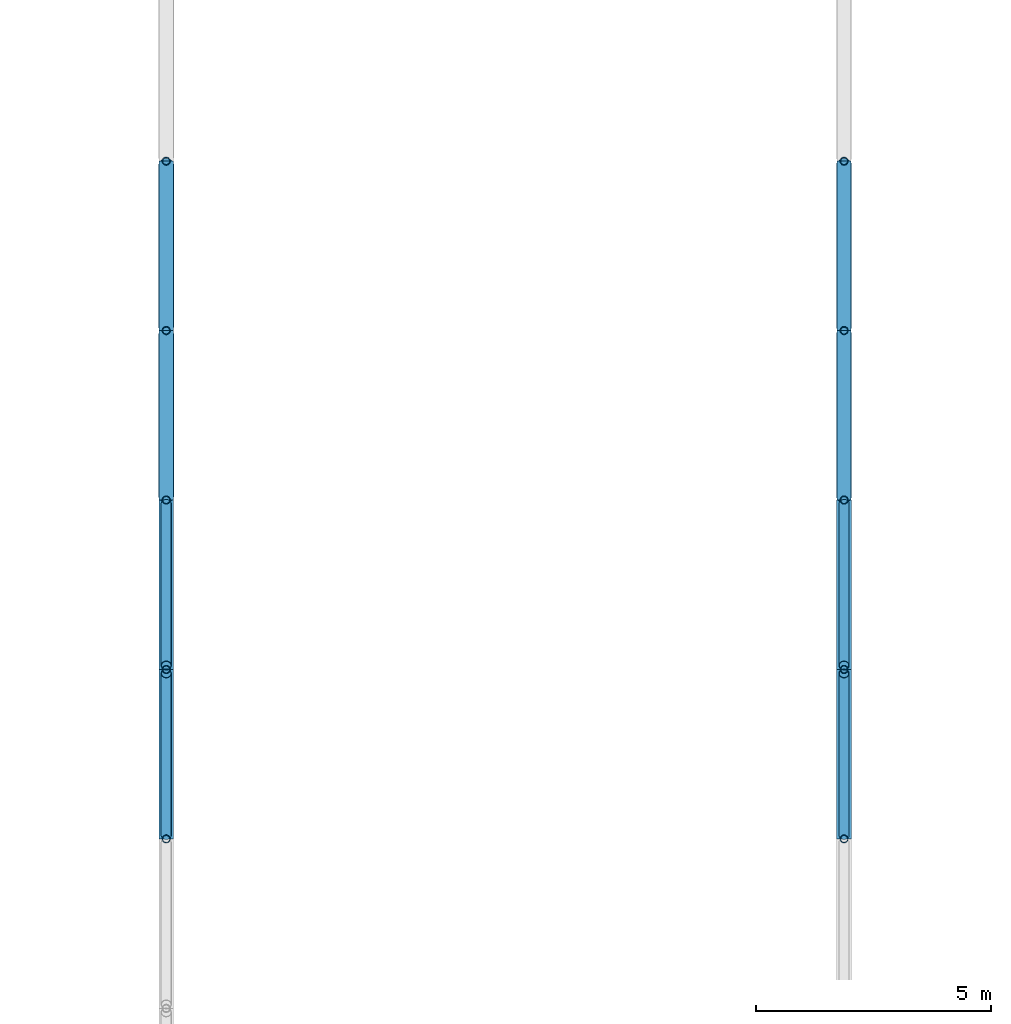
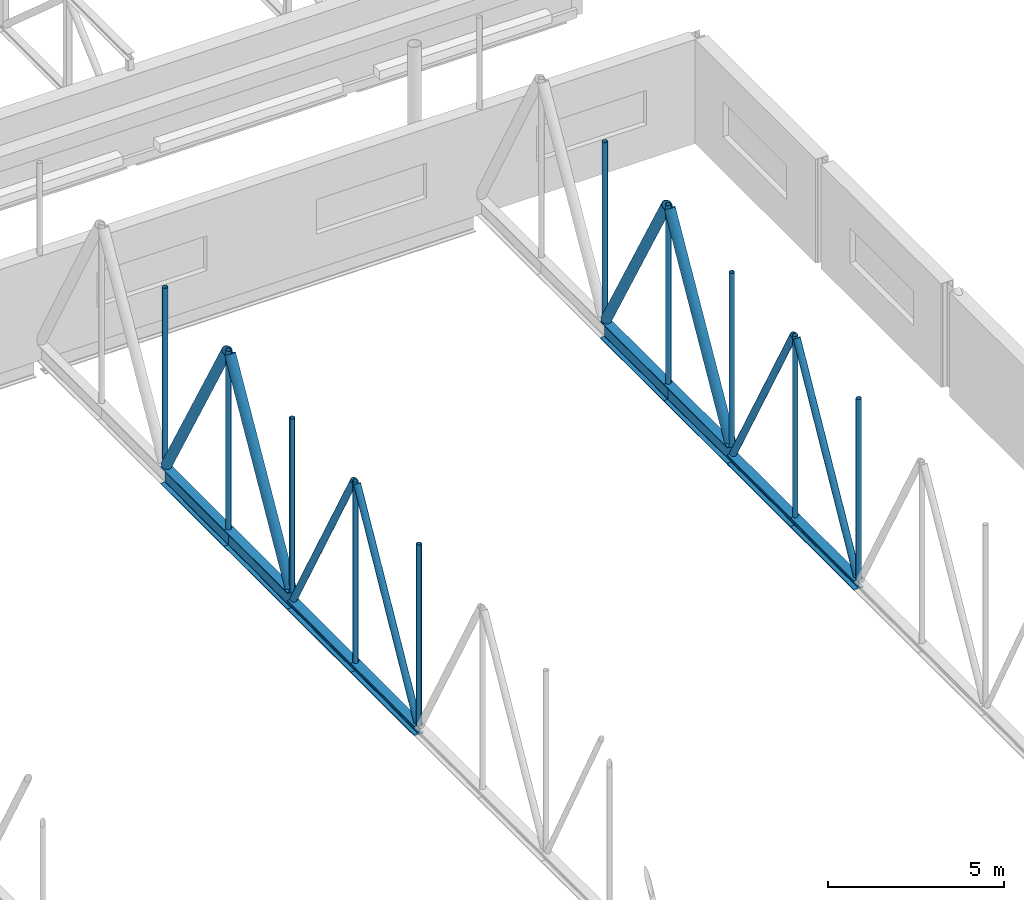
# One storey, part 70 of 142: 26 members.
"""IFC4 building model written with IfcOpenShell, lengths in metres."""

from ifc_helpers import new_model, si_unit, direction, frame, origin, origin_2d, place, context, subcontext, project, spatial, hollow_circle, i_section, extrude, material, material_profile, profile_set, type_object, element, save


model = new_model("IFC4")

# Units and contexts
model_context = context("Model", 3, precision=1e-05, world=origin(), true_north=direction((0.0, 1.0)))
body_context = subcontext(model_context, "Body", "Model", "MODEL_VIEW")
ifc_project = project(units=[si_unit("LENGTHUNIT", "METRE"), si_unit("AREAUNIT", "SQUARE_METRE"), si_unit("VOLUMEUNIT", "CUBIC_METRE"), si_unit("PLANEANGLEUNIT", "RADIAN"), si_unit("MASSUNIT", "GRAM", prefix="KILO")], contexts=[model_context])

# Site, building, storey
site_placement = place(None, origin())
site = spatial("IfcSite", under=ifc_project, at=site_placement, CompositionType="ELEMENT")
building_placement = place(site_placement, origin())
building = spatial("IfcBuilding", under=site, at=building_placement, Name="Kupolbacken Congress Centre", CompositionType="ELEMENT")
storey_placement = place(building_placement, frame((0.0, 0.0, 14.39990234375)))
storey = spatial("IfcBuildingStorey", under=building, at=storey_placement, Name="L04", CompositionType="ELEMENT", Elevation=14.39990234375)

# Members
ifc_material_1 = material(Name="Steel S355", Category="steel")
ifc_material_profile_1 = material_profile(ifc_material_1, i_section(OverallWidth=0.31005859375, OverallDepth=0.340087890625, WebThickness=0.02099609375, FlangeThickness=0.0390625, FilletRadius=0.027099609375, at=origin_2d()), Name="HEM 300")
ifc_profile_set_1 = profile_set([ifc_material_profile_1], Name="Steel S355")
member_type_1 = type_object("IfcMemberType", Name="M01 transfer truss chord HEM 300", PredefinedType="CHORD", material=ifc_profile_set_1)
member_1_placement = place(storey_placement, frame((180.0, 93.60009765625, 0.16015625), z_axis=(0.0, 1.0, 0.0), x_axis=(-1.0, 0.0, 0.0)))
element("IfcMember", 1, at=member_1_placement, inside=storey, type_object=member_type_1, Name="HT/T7/BC15", PredefinedType="CHORD", context=body_context, shape_type="SweptSolid", body=[
    extrude(i_section(OverallWidth=0.31005859375, OverallDepth=0.340087890625, WebThickness=0.02099609375, FlangeThickness=0.0390625, FilletRadius=0.027099609375, at=origin_2d()), origin(), (0.0, 0.0, 1.0), 3.599853515625),
])
member_2_placement = place(storey_placement, frame((180.0, 97.199951171875, 0.16015625), z_axis=(0.0, 1.0, 0.0), x_axis=(-1.0, 0.0, 0.0)))
element("IfcMember", 2, at=member_2_placement, inside=storey, type_object=member_type_1, Name="HT/T7/BC16", PredefinedType="CHORD", context=body_context, shape_type="SweptSolid", body=[
    extrude(i_section(OverallWidth=0.31005859375, OverallDepth=0.340087890625, WebThickness=0.02099609375, FlangeThickness=0.0390625, FilletRadius=0.027099609375, at=origin_2d()), origin(), (0.0, 0.0, 1.0), 3.60009765625),
])
member_3_placement = place(storey_placement, frame((194.39990234375, 93.60009765625, 0.16015625), z_axis=(0.0, 1.0, 0.0), x_axis=(-1.0, 0.0, 0.0)))
element("IfcMember", 3, at=member_3_placement, inside=storey, type_object=member_type_1, Name="HT/T8/BC15", PredefinedType="CHORD", context=body_context, shape_type="SweptSolid", body=[
    extrude(i_section(OverallWidth=0.31005859375, OverallDepth=0.340087890625, WebThickness=0.02099609375, FlangeThickness=0.0390625, FilletRadius=0.027099609375, at=origin_2d()), origin(), (0.0, 0.0, 1.0), 3.599853515625),
])
member_4_placement = place(storey_placement, frame((194.39990234375, 97.199951171875, 0.16015625), z_axis=(0.0, 1.0, 0.0), x_axis=(-1.0, 0.0, 0.0)))
element("IfcMember", 4, at=member_4_placement, inside=storey, type_object=member_type_1, Name="HT/T8/BC16", PredefinedType="CHORD", context=body_context, shape_type="SweptSolid", body=[
    extrude(i_section(OverallWidth=0.31005859375, OverallDepth=0.340087890625, WebThickness=0.02099609375, FlangeThickness=0.0390625, FilletRadius=0.027099609375, at=origin_2d()), origin(), (0.0, 0.0, 1.0), 3.60009765625),
])
ifc_material_2 = material(Name="Steel S355", Category="steel")
ifc_material_profile_2 = material_profile(ifc_material_2, i_section(OverallWidth=0.300048828125, OverallDepth=0.60009765625, WebThickness=0.015380859375, FlangeThickness=0.030029296875, FilletRadius=0.027099609375, at=origin_2d()), Name="HEB 600")
ifc_profile_set_2 = profile_set([ifc_material_profile_2], Name="Steel S355")
member_type_2 = type_object("IfcMemberType", Name="M02 transfer truss chord HEB 600", PredefinedType="CHORD", material=ifc_profile_set_2)
member_5_placement = place(storey_placement, frame((180.0, 100.800048828125, 0.2900390625), z_axis=(0.0, 1.0, 0.0), x_axis=(-1.0, 0.0, 0.0)))
element("IfcMember", 5, at=member_5_placement, inside=storey, type_object=member_type_2, Name="HT/T7/BC17", PredefinedType="CHORD", context=body_context, shape_type="SweptSolid", body=[
    extrude(i_section(OverallWidth=0.300048828125, OverallDepth=0.60009765625, WebThickness=0.015380859375, FlangeThickness=0.030029296875, FilletRadius=0.027099609375, at=origin_2d()), origin(), (0.0, 0.0, 1.0), 3.599853515625),
])
member_6_placement = place(storey_placement, frame((180.0, 104.39990234375, 0.2900390625), z_axis=(0.0, 1.0, 0.0), x_axis=(-1.0, 0.0, 0.0)))
element("IfcMember", 6, at=member_6_placement, inside=storey, type_object=member_type_2, Name="HT/T7/BC18", PredefinedType="CHORD", context=body_context, shape_type="SweptSolid", body=[
    extrude(i_section(OverallWidth=0.300048828125, OverallDepth=0.60009765625, WebThickness=0.015380859375, FlangeThickness=0.030029296875, FilletRadius=0.027099609375, at=origin_2d()), origin(), (0.0, 0.0, 1.0), 3.60009765625),
])
member_7_placement = place(storey_placement, frame((194.39990234375, 100.800048828125, 0.2900390625), z_axis=(0.0, 1.0, 0.0), x_axis=(-1.0, 0.0, 0.0)))
element("IfcMember", 7, at=member_7_placement, inside=storey, type_object=member_type_2, Name="HT/T8/BC17", PredefinedType="CHORD", context=body_context, shape_type="SweptSolid", body=[
    extrude(i_section(OverallWidth=0.300048828125, OverallDepth=0.60009765625, WebThickness=0.015380859375, FlangeThickness=0.030029296875, FilletRadius=0.027099609375, at=origin_2d()), origin(), (0.0, 0.0, 1.0), 3.599853515625),
])
member_8_placement = place(storey_placement, frame((194.39990234375, 104.39990234375, 0.2900390625), z_axis=(0.0, 1.0, 0.0), x_axis=(-1.0, 0.0, 0.0)))
element("IfcMember", 8, at=member_8_placement, inside=storey, type_object=member_type_2, Name="HT/T8/BC18", PredefinedType="CHORD", context=body_context, shape_type="SweptSolid", body=[
    extrude(i_section(OverallWidth=0.300048828125, OverallDepth=0.60009765625, WebThickness=0.015380859375, FlangeThickness=0.030029296875, FilletRadius=0.027099609375, at=origin_2d()), origin(), (0.0, 0.0, 1.0), 3.60009765625),
])
ifc_material_3 = material(Name="Steel S355", Category="steel")
ifc_material_profile_3 = material_profile(ifc_material_3, hollow_circle(Radius=0.161865234375, WallThickness=0.012451171875, at=origin_2d()), Name="CHS 323.9 x 12.5")
ifc_profile_set_3 = profile_set([ifc_material_profile_3], Name="Steel S355")
member_type_3 = type_object("IfcMemberType", Name="M04 transfer truss web CHS 323.9 x 12.5", PredefinedType="BRACE", material=ifc_profile_set_3)
member_9_placement = place(storey_placement, frame((180.0, 100.884033203125, 0.658935546875), z_axis=(0.0, 0.494482554546, 0.869187553552), x_axis=(-1.0, 0.0, 0.0)))
element("IfcMember", 9, at=member_9_placement, inside=storey, type_object=member_type_3, Name="HT/T7/D17", PredefinedType="BRACE", context=body_context, shape_type="SweptSolid", body=[
    extrude(hollow_circle(Radius=0.161865234375, WallThickness=0.012451171875, at=origin_2d()), origin(), (0.0, 0.0, 1.0), 6.9404296875),
])
member_10_placement = place(storey_placement, frame((180.0, 104.484130859375, 6.69140625), z_axis=(0.0, 0.494455978115, -0.869202672399), x_axis=(-1.0, 0.0, 0.0)))
element("IfcMember", 10, at=member_10_placement, inside=storey, type_object=member_type_3, Name="HT/T7/D18", PredefinedType="BRACE", context=body_context, shape_type="SweptSolid", body=[
    extrude(hollow_circle(Radius=0.161865234375, WallThickness=0.012451171875, at=origin_2d()), origin(), (0.0, 0.0, 1.0), 6.940185546875),
])
member_11_placement = place(storey_placement, frame((194.39990234375, 100.884033203125, 0.658935546875), z_axis=(0.0, 0.494482554546, 0.869187553552), x_axis=(-1.0, 0.0, 0.0)))
element("IfcMember", 11, at=member_11_placement, inside=storey, type_object=member_type_3, Name="HT/T8/D17", PredefinedType="BRACE", context=body_context, shape_type="SweptSolid", body=[
    extrude(hollow_circle(Radius=0.161865234375, WallThickness=0.012451171875, at=origin_2d()), origin(), (0.0, 0.0, 1.0), 6.9404296875),
])
member_12_placement = place(storey_placement, frame((194.39990234375, 104.484130859375, 6.69140625), z_axis=(0.0, 0.494455978115, -0.869202672399), x_axis=(-1.0, 0.0, 0.0)))
element("IfcMember", 12, at=member_12_placement, inside=storey, type_object=member_type_3, Name="HT/T8/D18", PredefinedType="BRACE", context=body_context, shape_type="SweptSolid", body=[
    extrude(hollow_circle(Radius=0.161865234375, WallThickness=0.012451171875, at=origin_2d()), origin(), (0.0, 0.0, 1.0), 6.940185546875),
])
ifc_material_4 = material(Name="Steel S355", Category="steel")
ifc_material_profile_4 = material_profile(ifc_material_4, hollow_circle(Radius=0.109619140625, WallThickness=0.010009765625, at=origin_2d()), Name="CHS 219.1 x 10")
ifc_profile_set_4 = profile_set([ifc_material_profile_4], Name="Steel S355")
member_type_4 = type_object("IfcMemberType", Name="M05 transfer truss web CHS 219.1 x 10", PredefinedType="BRACE", material=ifc_profile_set_4)
member_13_placement = place(storey_placement, frame((180.0, 93.68408203125, 0.372802734375), z_axis=(0.0, 0.485197410842, 0.87440463889), x_axis=(-1.0, 0.0, 0.0)))
element("IfcMember", 13, at=member_13_placement, inside=storey, type_object=member_type_4, Name="HT/T7/D15", PredefinedType="BRACE", context=body_context, shape_type="SweptSolid", body=[
    extrude(hollow_circle(Radius=0.109619140625, WallThickness=0.010009765625, at=origin_2d()), origin(), (0.0, 0.0, 1.0), 7.0732421875),
])
member_14_placement = place(storey_placement, frame((180.0, 97.2841796875, 6.5576171875), z_axis=(0.0, 0.48517101949, -0.874419282637), x_axis=(-1.0, 0.0, 0.0)))
element("IfcMember", 14, at=member_14_placement, inside=storey, type_object=member_type_4, Name="HT/T7/D16", PredefinedType="BRACE", context=body_context, shape_type="SweptSolid", body=[
    extrude(hollow_circle(Radius=0.109619140625, WallThickness=0.010009765625, at=origin_2d()), origin(), (0.0, 0.0, 1.0), 7.072998046875),
])
member_15_placement = place(storey_placement, frame((194.39990234375, 93.68408203125, 0.372802734375), z_axis=(0.0, 0.485197410842, 0.87440463889), x_axis=(-1.0, 0.0, 0.0)))
element("IfcMember", 15, at=member_15_placement, inside=storey, type_object=member_type_4, Name="HT/T8/D15", PredefinedType="BRACE", context=body_context, shape_type="SweptSolid", body=[
    extrude(hollow_circle(Radius=0.109619140625, WallThickness=0.010009765625, at=origin_2d()), origin(), (0.0, 0.0, 1.0), 7.0732421875),
])
member_16_placement = place(storey_placement, frame((194.39990234375, 97.2841796875, 6.5576171875), z_axis=(0.0, 0.48517101949, -0.874419282637), x_axis=(-1.0, 0.0, 0.0)))
element("IfcMember", 16, at=member_16_placement, inside=storey, type_object=member_type_4, Name="HT/T8/D16", PredefinedType="BRACE", context=body_context, shape_type="SweptSolid", body=[
    extrude(hollow_circle(Radius=0.109619140625, WallThickness=0.010009765625, at=origin_2d()), origin(), (0.0, 0.0, 1.0), 7.072998046875),
])
ifc_material_5 = material(Name="Steel S355", Category="steel")
ifc_material_profile_5 = material_profile(ifc_material_5, hollow_circle(Radius=0.084228515625, WallThickness=0.008056640625, at=origin_2d()), Name="CHS 168.3 x 8")
ifc_profile_set_5 = profile_set([ifc_material_profile_5], Name="Steel S355")
member_type_5 = type_object("IfcMemberType", Name="M20 transfer truss post CHS 168.3 x 8", PredefinedType="STRUT", material=ifc_profile_set_5)
for number, where, z_axis, x_axis, name in (
    (17, (180.0, 93.60009765625, 0.320068359375), (0.0, 0.0, 1.0), (0.0, 1.0, 0.0), "HT/T7/P14"),
    (18, (180.0, 97.199951171875, 0.320068359375), (0.0, 0.0, 1.0), (0.0, 1.0, 0.0), "HT/T7/P15"),
):
    element("IfcMember", number, at=place(storey_placement, frame(where, z_axis=z_axis, x_axis=x_axis)), inside=storey, type_object=member_type_5, Name=name, PredefinedType="STRUT", context=body_context, shape_type="SweptSolid", body=[
        extrude(hollow_circle(Radius=0.084228515625, WallThickness=0.008056640625, at=origin_2d()), origin(), (0.0, 0.0, 1.0), 6.2900390625),
    ])
member_17_placement = place(storey_placement, frame((180.0, 100.800048828125, 0.580078125), z_axis=(0.0, 0.0, 1.0), x_axis=(0.0, 1.0, 0.0)))
element("IfcMember", 19, at=member_17_placement, inside=storey, type_object=member_type_5, Name="HT/T7/P16", PredefinedType="STRUT", context=body_context, shape_type="SweptSolid", body=[
    extrude(hollow_circle(Radius=0.084228515625, WallThickness=0.008056640625, at=origin_2d()), origin(), (0.0, 0.0, 1.0), 6.030029296875),
])
for number, where, z_axis, x_axis, name in (
    (20, (180.0, 104.39990234375, 0.580078125), (0.0, 0.0, 1.0), (0.0, 1.0, 0.0), "HT/T7/P17"),
    (21, (180.0, 108.0, 0.580078125), (0.0, 0.0, 1.0), (0.0, 1.0, 0.0), "HT/T7/P18"),
):
    element("IfcMember", number, at=place(storey_placement, frame(where, z_axis=z_axis, x_axis=x_axis)), inside=storey, type_object=member_type_5, Name=name, PredefinedType="STRUT", context=body_context, shape_type="SweptSolid", body=[
        extrude(hollow_circle(Radius=0.084228515625, WallThickness=0.008056640625, at=origin_2d()), origin(), (0.0, 0.0, 1.0), 6.18994140625),
    ])
for number, where, z_axis, x_axis, name in (
    (22, (194.39990234375, 93.60009765625, 0.320068359375), (0.0, 0.0, 1.0), (0.0, 1.0, 0.0), "HT/T8/P14"),
    (23, (194.39990234375, 97.199951171875, 0.320068359375), (0.0, 0.0, 1.0), (0.0, 1.0, 0.0), "HT/T8/P15"),
):
    element("IfcMember", number, at=place(storey_placement, frame(where, z_axis=z_axis, x_axis=x_axis)), inside=storey, type_object=member_type_5, Name=name, PredefinedType="STRUT", context=body_context, shape_type="SweptSolid", body=[
        extrude(hollow_circle(Radius=0.084228515625, WallThickness=0.008056640625, at=origin_2d()), origin(), (0.0, 0.0, 1.0), 6.2900390625),
    ])
member_18_placement = place(storey_placement, frame((194.39990234375, 100.800048828125, 0.580078125), z_axis=(0.0, 0.0, 1.0), x_axis=(0.0, 1.0, 0.0)))
element("IfcMember", 24, at=member_18_placement, inside=storey, type_object=member_type_5, Name="HT/T8/P16", PredefinedType="STRUT", context=body_context, shape_type="SweptSolid", body=[
    extrude(hollow_circle(Radius=0.084228515625, WallThickness=0.008056640625, at=origin_2d()), origin(), (0.0, 0.0, 1.0), 6.030029296875),
])
for number, where, z_axis, x_axis, name in (
    (25, (194.39990234375, 104.39990234375, 0.580078125), (0.0, 0.0, 1.0), (0.0, 1.0, 0.0), "HT/T8/P17"),
    (26, (194.39990234375, 108.0, 0.580078125), (0.0, 0.0, 1.0), (0.0, 1.0, 0.0), "HT/T8/P18"),
):
    element("IfcMember", number, at=place(storey_placement, frame(where, z_axis=z_axis, x_axis=x_axis)), inside=storey, type_object=member_type_5, Name=name, PredefinedType="STRUT", context=body_context, shape_type="SweptSolid", body=[
        extrude(hollow_circle(Radius=0.084228515625, WallThickness=0.008056640625, at=origin_2d()), origin(), (0.0, 0.0, 1.0), 6.18994140625),
    ])

save(model, "model.ifc")
